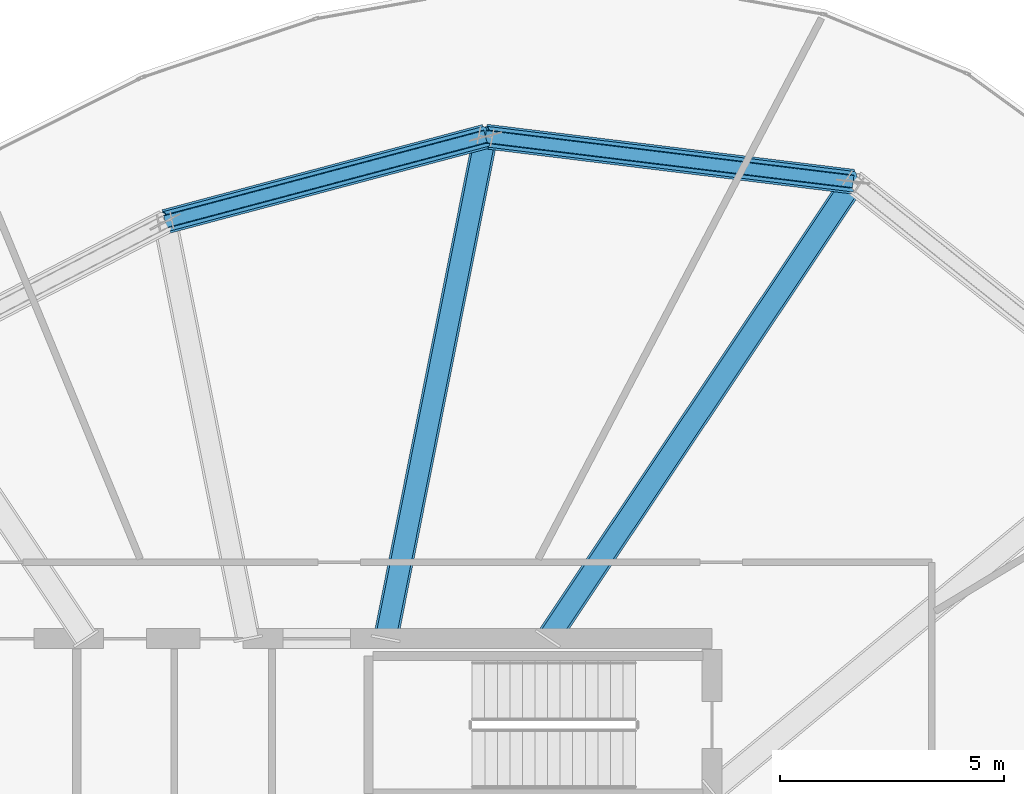
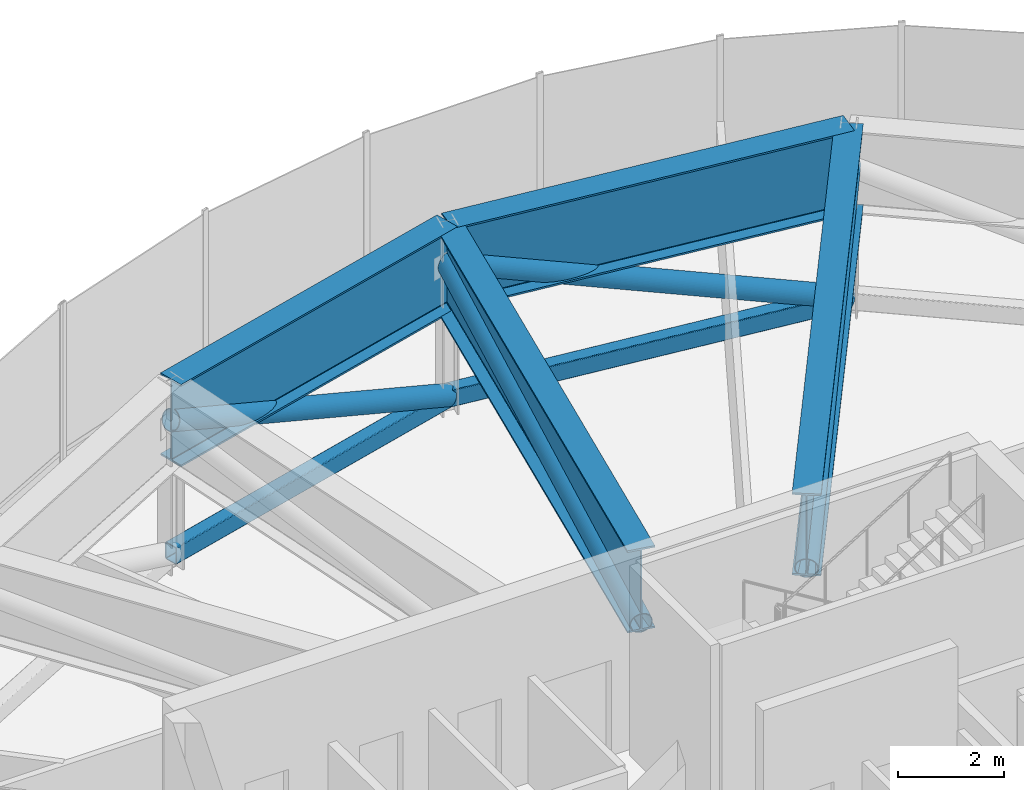
# One storey, part 17 of 26: 6 members, 4 beams.
"""IFC4 building model written with IfcOpenShell, lengths in metres."""

from ifc_helpers import new_model, si_unit, direction, frame, origin, origin_2d, place, context, subcontext, project, spatial, hollow_rectangle, hollow_circle, i_section, extrude, source, transform, mapped, material, material_profile, profile_set, type_object, element, save


model = new_model("IFC4")

# Units and contexts
model_context = context("Model", 3, precision=1e-05, world=origin(), true_north=direction((0.0, 1.0)))
body_context = subcontext(model_context, "Body", "Model", "MODEL_VIEW")
ifc_project = project(units=[si_unit("LENGTHUNIT", "METRE"), si_unit("AREAUNIT", "SQUARE_METRE"), si_unit("VOLUMEUNIT", "CUBIC_METRE"), si_unit("PLANEANGLEUNIT", "RADIAN"), si_unit("MASSUNIT", "GRAM", prefix="KILO"), si_unit("THERMODYNAMICTEMPERATUREUNIT", "KELVIN")], contexts=[model_context])

# Site, building, storey
site_placement = place(None, origin())
site = spatial("IfcSite", under=ifc_project, at=site_placement, CompositionType="ELEMENT")
building_placement = place(site_placement, origin())
building = spatial("IfcBuilding", under=site, at=building_placement, Name="Kethvar Cultural Tower", CompositionType="ELEMENT")
storey_placement = place(building_placement, frame((0.0, 0.0, 223.60009765625)))
storey = spatial("IfcBuildingStorey", under=building, at=storey_placement, Name="L58", CompositionType="ELEMENT", Elevation=223.60009765625)

# Beam
ifc_material_1 = material(Name="Steel S460M", Category="steel")
ifc_material_profile_1 = material_profile(ifc_material_1, i_section(OverallWidth=0.550048828125, OverallDepth=1.89990234375, WebThickness=0.02490234375, FlangeThickness=0.0400390625, FilletRadius=0.02001953125, at=origin_2d()), Name="Steel S460M — PG1900x550x40x25")
ifc_profile_set_1 = profile_set([ifc_material_profile_1], Name="Steel S460M — PG1900x550x40x25")
beam_type = type_object("IfcBeamType", Name="BM-TR1900", PredefinedType="BEAM", material=ifc_profile_set_1)
shared_shape_1 = source(origin(), body_context, "Body", "SweptSolid", [
    extrude(i_section(OverallWidth=0.550048828125, OverallDepth=1.89990234375, WebThickness=0.02490234375, FlangeThickness=0.0400390625, FilletRadius=0.02001953125, at=origin_2d()), origin(), (0.0, 0.0, 1.0), 12.2451171875),
])
beam_1_placement = place(storey_placement, frame((51.945068359375, 35.5, 3.427978515625), z_axis=(0.555569492312, 0.831470107227, 0.0), x_axis=(-0.831470107227, 0.555569492312, 0.0)))
element("IfcBeam", 1, at=beam_1_placement, inside=storey, type_object=beam_type, Name="L58 Outrigger Transfer Girder OG-03", PredefinedType="BEAM", context=body_context, shape_type="MappedRepresentation", body=[
    mapped(shared_shape_1, transform((0.0, 0.0, 0.0), scale=1.0)),
])

# Member
ifc_material_2 = material(Name="Steel S355J2", Category="steel")
ifc_material_profile_2 = material_profile(ifc_material_2, hollow_circle(Radius=0.228515625, WallThickness=0.01611328125, at=origin_2d()), Name="Steel S355J2 — CHS457x16")
ifc_profile_set_2 = profile_set([ifc_material_profile_2], Name="Steel S355J2 — CHS457x16")
member_type_1 = type_object("IfcMemberType", Name="MB-OUT-457", PredefinedType="BRACE", material=ifc_profile_set_2)
shared_shape_2 = source(origin(), body_context, "Body", "SweptSolid", [
    extrude(hollow_circle(Radius=0.228515625, WallThickness=0.01611328125, at=origin_2d()), origin(), (0.0, 0.0, 1.0), 12.269775390625),
])
member_1_placement = place(storey_placement, frame((51.945068359375, 35.5, 2.64990234375), z_axis=(0.554451294846, 0.829796603229, 0.063414185418), x_axis=(-0.831470107227, 0.555569492312, 0.0)))
element("IfcMember", 2, at=member_1_placement, inside=storey, type_object=member_type_1, Name="L58 Outrigger Truss Diagonal OB-03", PredefinedType="BRACE", context=body_context, shape_type="MappedRepresentation", body=[
    mapped(shared_shape_2, transform((0.0, 0.0, 0.0), scale=1.0)),
])

# Beam
shared_shape_3 = source(origin(), body_context, "Body", "SweptSolid", [
    extrude(i_section(OverallWidth=0.550048828125, OverallDepth=1.89990234375, WebThickness=0.02490234375, FlangeThickness=0.0400390625, FilletRadius=0.02001953125, at=origin_2d()), origin(), (0.0, 0.0, 1.0), 8.252685546875),
])
beam_2_placement = place(storey_placement, frame((58.748046875, 45.681396484375, 3.427978515625), z_axis=(-0.992540943467, 0.121911753093, 0.0), x_axis=(-0.121911753093, -0.992540943467, 0.0)))
element("IfcBeam", 3, at=beam_2_placement, inside=storey, type_object=beam_type, Name="L58 Ring Belt Girder BG-03", PredefinedType="BEAM", context=body_context, shape_type="MappedRepresentation", body=[
    mapped(shared_shape_3, transform((0.0, 0.0, 0.0), scale=1.0)),
])

# Members
ifc_material_profile_3 = material_profile(ifc_material_1, hollow_rectangle(XDim=0.300048828125, YDim=0.39990234375, WallThickness=0.01611328125, InnerFilletRadius=0.01611328125, OuterFilletRadius=0.031982421875, at=origin_2d()), Name="Steel S460M — RHS400x300x16")
ifc_profile_set_3 = profile_set([ifc_material_profile_3], Name="Steel S460M — RHS400x300x16")
member_type_2 = type_object("IfcMemberType", Name="MB-CHD-400", PredefinedType="CHORD", material=ifc_profile_set_3)
shared_shape_4 = source(origin(), body_context, "Body", "SweptSolid", [
    extrude(hollow_rectangle(XDim=0.300048828125, YDim=0.39990234375, WallThickness=0.01611328125, InnerFilletRadius=0.01611328125, OuterFilletRadius=0.031982421875, at=origin_2d()), origin(), (0.0, 0.0, 1.0), 8.252685546875),
])
member_2_placement = place(storey_placement, frame((58.748046875, 45.681396484375, 0.349853515625), z_axis=(-0.992540943467, 0.121911753093, 0.0), x_axis=(-0.121911753093, -0.992540943467, 0.0)))
element("IfcMember", 4, at=member_2_placement, inside=storey, type_object=member_type_2, Name="L58 Ring Belt Bottom Chord BC-03", PredefinedType="CHORD", context=body_context, shape_type="MappedRepresentation", body=[
    mapped(shared_shape_4, transform((0.0, 0.0, 0.0), scale=1.0)),
])
shared_shape_5 = source(origin(), body_context, "Body", "SweptSolid", [
    extrude(hollow_circle(Radius=0.228515625, WallThickness=0.01611328125, at=origin_2d()), origin(), (0.0, 0.0, 1.0), 8.80810546875),
])
member_3_placement = place(storey_placement, frame((58.748046875, 45.681396484375, 0.349853515625), z_axis=(-0.929960236149, 0.11422509413, 0.349466145789), x_axis=(-0.121911753093, -0.992540943467, 0.0)))
element("IfcMember", 5, at=member_3_placement, inside=storey, type_object=member_type_1, Name="L58 Ring Belt Diagonal BD-03", PredefinedType="BRACE", context=body_context, shape_type="MappedRepresentation", body=[
    mapped(shared_shape_5, transform((0.0, 0.0, 0.0), scale=1.0)),
])

# Beam
shared_shape_6 = source(origin(), body_context, "Body", "SweptSolid", [
    extrude(i_section(OverallWidth=0.550048828125, OverallDepth=1.89990234375, WebThickness=0.02490234375, FlangeThickness=0.0400390625, FilletRadius=0.02001953125, at=origin_2d()), origin(), (0.0, 0.0, 1.0), 11.40673828125),
])
beam_3_placement = place(storey_placement, frame((48.33154296875, 35.5, 3.427978515625), z_axis=(0.195091138918, 0.980785117911, 0.0), x_axis=(-0.980785117911, 0.195091138918, 0.0)))
element("IfcBeam", 6, at=beam_3_placement, inside=storey, type_object=beam_type, Name="L58 Outrigger Transfer Girder OG-04", PredefinedType="BEAM", context=body_context, shape_type="MappedRepresentation", body=[
    mapped(shared_shape_6, transform((0.0, 0.0, 0.0), scale=1.0)),
])

# Member
shared_shape_7 = source(origin(), body_context, "Body", "SweptSolid", [
    extrude(hollow_circle(Radius=0.228515625, WallThickness=0.01611328125, at=origin_2d()), origin(), (0.0, 0.0, 1.0), 11.43310546875),
])
member_4_placement = place(storey_placement, frame((48.33154296875, 35.5, 2.64990234375), z_axis=(0.194638844647, 0.978511290962, 0.068054196148), x_axis=(-0.980785117911, 0.195091138918, 0.0)))
element("IfcMember", 7, at=member_4_placement, inside=storey, type_object=member_type_1, Name="L58 Outrigger Truss Diagonal OB-04", PredefinedType="BRACE", context=body_context, shape_type="MappedRepresentation", body=[
    mapped(shared_shape_7, transform((0.0, 0.0, 0.0), scale=1.0)),
])

# Beam
shared_shape_8 = source(origin(), body_context, "Body", "SweptSolid", [
    extrude(i_section(OverallWidth=0.550048828125, OverallDepth=1.89990234375, WebThickness=0.02490234375, FlangeThickness=0.0400390625, FilletRadius=0.02001953125, at=origin_2d()), origin(), (0.0, 0.0, 1.0), 7.38427734375),
])
beam_4_placement = place(storey_placement, frame((50.556884765625, 46.6875, 3.427978515625), z_axis=(-0.966396628298, -0.257055552002, 0.0), x_axis=(0.257055552002, -0.966396628298, 0.0)))
element("IfcBeam", 8, at=beam_4_placement, inside=storey, type_object=beam_type, Name="L58 Ring Belt Girder BG-04", PredefinedType="BEAM", context=body_context, shape_type="MappedRepresentation", body=[
    mapped(shared_shape_8, transform((0.0, 0.0, 0.0), scale=1.0)),
])

# Members
shared_shape_9 = source(origin(), body_context, "Body", "SweptSolid", [
    extrude(hollow_rectangle(XDim=0.300048828125, YDim=0.39990234375, WallThickness=0.01611328125, InnerFilletRadius=0.01611328125, OuterFilletRadius=0.031982421875, at=origin_2d()), origin(), (0.0, 0.0, 1.0), 7.38427734375),
])
member_5_placement = place(storey_placement, frame((50.556884765625, 46.6875, 0.349853515625), z_axis=(-0.966396628298, -0.257055552002, 0.0), x_axis=(0.257055552002, -0.966396628298, 0.0)))
element("IfcMember", 9, at=member_5_placement, inside=storey, type_object=member_type_2, Name="L58 Ring Belt Bottom Chord BC-04", PredefinedType="CHORD", context=body_context, shape_type="MappedRepresentation", body=[
    mapped(shared_shape_9, transform((0.0, 0.0, 0.0), scale=1.0)),
])
shared_shape_10 = source(origin(), body_context, "Body", "SweptSolid", [
    extrude(hollow_circle(Radius=0.228515625, WallThickness=0.01611328125, at=origin_2d()), origin(), (0.0, 0.0, 1.0), 8.000244140625),
])
member_6_placement = place(storey_placement, frame((50.556884765625, 46.6875, 0.349853515625), z_axis=(-0.892002488997, -0.237267169071, 0.384754272367), x_axis=(0.257055552002, -0.966396628298, 0.0)))
element("IfcMember", 10, at=member_6_placement, inside=storey, type_object=member_type_1, Name="L58 Ring Belt Diagonal BD-04", PredefinedType="BRACE", context=body_context, shape_type="MappedRepresentation", body=[
    mapped(shared_shape_10, transform((0.0, 0.0, 0.0), scale=1.0)),
])

save(model, "model.ifc")
